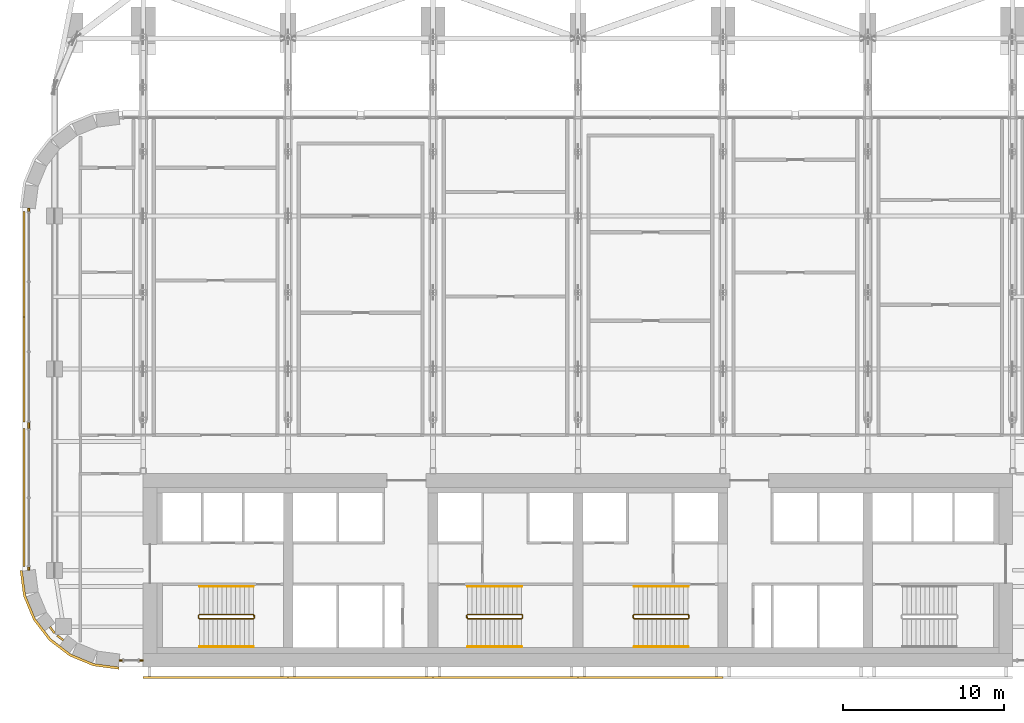
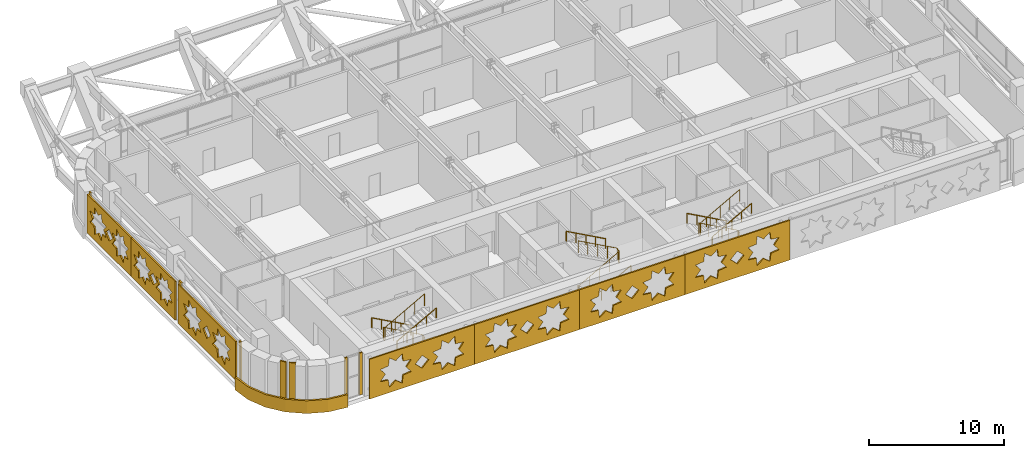
# One storey, part 19 of 23: 15 coverings, 9 railings.
"""IFC4 building model written with IfcOpenShell, lengths in metres."""

from ifc_helpers import new_model, si_unit, direction, frame, origin, origin_2d, place, context, subcontext, project, spatial, polyline, rectangle, circle, outline, extrude, material, layer, layer_set, type_object, element, save


model = new_model("IFC4")

# Units and contexts
model_context = context("Model", 3, precision=1e-05, world=origin(), true_north=direction((0.0, 1.0)))
body_context = subcontext(model_context, "Body", "Model", "MODEL_VIEW")
ifc_project = project(units=[si_unit("LENGTHUNIT", "METRE"), si_unit("AREAUNIT", "SQUARE_METRE"), si_unit("VOLUMEUNIT", "CUBIC_METRE"), si_unit("PLANEANGLEUNIT", "RADIAN"), si_unit("MASSUNIT", "GRAM", prefix="KILO")], contexts=[model_context])

# Site, building, storey
site_placement = place(None, origin())
site = spatial("IfcSite", under=ifc_project, at=site_placement, CompositionType="ELEMENT")
building_placement = place(site_placement, origin())
building = spatial("IfcBuilding", under=site, at=building_placement, Name="Zellij Exchange Tower", CompositionType="ELEMENT")
storey_placement = place(building_placement, frame((0.0, 0.0, 160.5)))
storey = spatial("IfcBuildingStorey", under=building, at=storey_placement, Name="L36", CompositionType="ELEMENT", Elevation=160.5)

# Railings
ifc_material_1 = material(Name="Stainless steel", Category="steel")
railing_type_1 = type_object("IfcRailingType", Name="CORE-RG stair guard", PredefinedType="GUARDRAIL", material=ifc_material_1)
railing_1_placement = place(storey_placement, frame((-20.10009765625, -10.800048828125, 0.0)))
element("IfcRailing", 1, at=railing_1_placement, inside=storey, type_object=railing_type_1, Name="ST1 stair guard L36", PredefinedType="GUARDRAIL", context=body_context, shape_type="SweptSolid", body=[
    extrude(circle(Radius=0.02392578125, at=origin_2d()), frame((0.0, 0.0, 1.076171875), z_axis=(0.0, -1.0, 0.0), x_axis=(1.0, 0.0, 0.0)), (0.0, 0.0, 1.0), 0.14990234375),
    extrude(circle(Radius=0.02392578125, at=origin_2d()), frame((0.0, -0.14990234375, 1.076171875), z_axis=(-0.193691321961, 0.777613689637, 0.598164376644), x_axis=(-0.970351222016, -0.241699205484, 0.0)), (0.0, 0.0, 1.0), 0.257080078125),
    extrude(circle(Radius=0.02392578125, at=origin_2d()), frame((-0.0498046875, 0.050048828125, 1.22998046875), z_axis=(-0.876421534553, 0.0, 0.481544695509), x_axis=(0.0, -1.0, 0.0)), (0.0, 0.0, 1.0), 3.833984375),
    extrude(circle(Radius=0.02392578125, at=origin_2d()), frame((-3.409912109375, 0.050048828125, 3.076171875), z_axis=(-0.707106781187, -0.707106781187, 0.0), x_axis=(0.707106781187, -0.707106781187, 0.0)), (0.0, 0.0, 1.0), 0.07080078125),
    extrude(circle(Radius=0.02392578125, at=origin_2d()), frame((-3.4599609375, 0.0, 3.076171875), z_axis=(0.0, -1.0, 0.0), x_axis=(1.0, 0.0, 0.0)), (0.0, 0.0, 1.0), 0.14990234375),
    extrude(circle(Radius=0.02392578125, at=origin_2d()), frame((-3.4599609375, -0.14990234375, 3.076171875), z_axis=(0.295599637079, -0.295599637079, 0.908428152975), x_axis=(0.707106781187, 0.707106781187, 0.0)), (0.0, 0.0, 1.0), 0.16943359375),
    extrude(circle(Radius=0.02392578125, at=origin_2d()), frame((-3.409912109375, -0.199951171875, 3.22998046875), z_axis=(0.876421534553, 0.0, 0.481544695509), x_axis=(0.0, 1.0, 0.0)), (0.0, 0.0, 1.0), 3.833984375),
    extrude(circle(Radius=0.02099609375, at=origin_2d()), origin(), (0.0, 0.0, 1.0), 1.052001953125),
    extrude(circle(Radius=0.02099609375, at=origin_2d()), frame((0.0, -0.14990234375, 0.0)), (0.0, 0.0, 1.0), 1.052001953125),
    extrude(circle(Radius=0.02099609375, at=origin_2d()), frame((-0.0498046875, 0.050048828125, 0.15380859375)), (0.0, 0.0, 1.0), 1.052001953125),
    extrude(circle(Radius=0.02099609375, at=origin_2d()), frame((-0.889892578125, 0.050048828125, 0.615234375)), (0.0, 0.0, 1.0), 1.052001953125),
    extrude(circle(Radius=0.02099609375, at=origin_2d()), frame((-1.72998046875, 0.050048828125, 1.076904296875)), (0.0, 0.0, 1.0), 1.052001953125),
    extrude(circle(Radius=0.02099609375, at=origin_2d()), frame((-2.56982421875, 0.050048828125, 1.53857421875)), (0.0, 0.0, 1.0), 1.052001953125),
    extrude(circle(Radius=0.02099609375, at=origin_2d()), frame((-3.409912109375, 0.050048828125, 2.0)), (0.0, 0.0, 1.0), 1.052001953125),
    extrude(circle(Radius=0.02099609375, at=origin_2d()), frame((-3.4599609375, 0.0, 2.0)), (0.0, 0.0, 1.0), 1.052001953125),
    extrude(circle(Radius=0.02099609375, at=origin_2d()), frame((-3.4599609375, -0.14990234375, 2.0)), (0.0, 0.0, 1.0), 1.052001953125),
    extrude(circle(Radius=0.02099609375, at=origin_2d()), frame((-3.409912109375, -0.199951171875, 2.15380859375)), (0.0, 0.0, 1.0), 1.052001953125),
    extrude(circle(Radius=0.02099609375, at=origin_2d()), frame((-2.56982421875, -0.199951171875, 2.615234375)), (0.0, 0.0, 1.0), 1.052001953125),
    extrude(circle(Radius=0.02099609375, at=origin_2d()), frame((-1.72998046875, -0.199951171875, 3.076904296875)), (0.0, 0.0, 1.0), 1.052001953125),
    extrude(circle(Radius=0.02099609375, at=origin_2d()), frame((-0.889892578125, -0.199951171875, 3.53857421875)), (0.0, 0.0, 1.0), 1.052001953125),
    extrude(circle(Radius=0.02099609375, at=origin_2d()), frame((-0.0498046875, -0.199951171875, 4.0)), (0.0, 0.0, 1.0), 1.052001953125),
])
railing_2_placement = place(storey_placement, frame((-6.89990234375, -10.949951171875, 0.0)))
element("IfcRailing", 2, at=railing_2_placement, inside=storey, type_object=railing_type_1, Name="ST2 stair guard L36", PredefinedType="GUARDRAIL", context=body_context, shape_type="SweptSolid", body=[
    extrude(circle(Radius=0.02392578125, at=origin_2d()), frame((0.0, 0.0, 1.076171875), z_axis=(0.0, 1.0, 0.0), x_axis=(-1.0, 0.0, 0.0)), (0.0, 0.0, 1.0), 0.14990234375),
    extrude(circle(Radius=0.02392578125, at=origin_2d()), frame((0.0, 0.14990234375, 1.076171875), z_axis=(0.193691321961, -0.777613689637, 0.598164376644), x_axis=(0.970351222016, 0.241699205484, 0.0)), (0.0, 0.0, 1.0), 0.257080078125),
    extrude(circle(Radius=0.02392578125, at=origin_2d()), frame((0.0498046875, -0.050048828125, 1.22998046875), z_axis=(0.876421534553, 0.0, 0.481544695509), x_axis=(0.0, 1.0, 0.0)), (0.0, 0.0, 1.0), 3.833984375),
    extrude(circle(Radius=0.02392578125, at=origin_2d()), frame((3.409912109375, -0.050048828125, 3.076171875), z_axis=(0.707106781187, 0.707106781187, 0.0), x_axis=(-0.707106781187, 0.707106781187, 0.0)), (0.0, 0.0, 1.0), 0.07080078125),
    extrude(circle(Radius=0.02392578125, at=origin_2d()), frame((3.4599609375, 0.0, 3.076171875), z_axis=(0.0, 1.0, 0.0), x_axis=(-1.0, 0.0, 0.0)), (0.0, 0.0, 1.0), 0.14990234375),
    extrude(circle(Radius=0.02392578125, at=origin_2d()), frame((3.4599609375, 0.14990234375, 3.076171875), z_axis=(-0.295599637079, 0.295599637079, 0.908428152975), x_axis=(-0.707106781187, -0.707106781187, 0.0)), (0.0, 0.0, 1.0), 0.16943359375),
    extrude(circle(Radius=0.02392578125, at=origin_2d()), frame((3.409912109375, 0.199951171875, 3.22998046875), z_axis=(-0.876421534553, 0.0, 0.481544695509), x_axis=(0.0, -1.0, 0.0)), (0.0, 0.0, 1.0), 3.833984375),
    extrude(circle(Radius=0.02099609375, at=origin_2d()), origin(), (0.0, 0.0, 1.0), 1.052001953125),
    extrude(circle(Radius=0.02099609375, at=origin_2d()), frame((0.0, 0.14990234375, 0.0)), (0.0, 0.0, 1.0), 1.052001953125),
    extrude(circle(Radius=0.02099609375, at=origin_2d()), frame((0.0498046875, -0.050048828125, 0.15380859375)), (0.0, 0.0, 1.0), 1.052001953125),
    extrude(circle(Radius=0.02099609375, at=origin_2d()), frame((0.889892578125, -0.050048828125, 0.615234375)), (0.0, 0.0, 1.0), 1.052001953125),
    extrude(circle(Radius=0.02099609375, at=origin_2d()), frame((1.72998046875, -0.050048828125, 1.076904296875)), (0.0, 0.0, 1.0), 1.052001953125),
    extrude(circle(Radius=0.02099609375, at=origin_2d()), frame((2.56982421875, -0.050048828125, 1.53857421875)), (0.0, 0.0, 1.0), 1.052001953125),
    extrude(circle(Radius=0.02099609375, at=origin_2d()), frame((3.409912109375, -0.050048828125, 2.0)), (0.0, 0.0, 1.0), 1.052001953125),
    extrude(circle(Radius=0.02099609375, at=origin_2d()), frame((3.4599609375, 0.0, 2.0)), (0.0, 0.0, 1.0), 1.052001953125),
    extrude(circle(Radius=0.02099609375, at=origin_2d()), frame((3.4599609375, 0.14990234375, 2.0)), (0.0, 0.0, 1.0), 1.052001953125),
    extrude(circle(Radius=0.02099609375, at=origin_2d()), frame((3.409912109375, 0.199951171875, 2.15380859375)), (0.0, 0.0, 1.0), 1.052001953125),
    extrude(circle(Radius=0.02099609375, at=origin_2d()), frame((2.56982421875, 0.199951171875, 2.615234375)), (0.0, 0.0, 1.0), 1.052001953125),
    extrude(circle(Radius=0.02099609375, at=origin_2d()), frame((1.72998046875, 0.199951171875, 3.076904296875)), (0.0, 0.0, 1.0), 1.052001953125),
    extrude(circle(Radius=0.02099609375, at=origin_2d()), frame((0.889892578125, 0.199951171875, 3.53857421875)), (0.0, 0.0, 1.0), 1.052001953125),
    extrude(circle(Radius=0.02099609375, at=origin_2d()), frame((0.0498046875, 0.199951171875, 4.0)), (0.0, 0.0, 1.0), 1.052001953125),
])
railing_3_placement = place(storey_placement, frame((6.89990234375, -10.800048828125, 0.0)))
element("IfcRailing", 3, at=railing_3_placement, inside=storey, type_object=railing_type_1, Name="ST3 stair guard L36", PredefinedType="GUARDRAIL", context=body_context, shape_type="SweptSolid", body=[
    extrude(circle(Radius=0.02392578125, at=origin_2d()), frame((0.0, 0.0, 1.076171875), z_axis=(0.0, -1.0, 0.0), x_axis=(1.0, 0.0, 0.0)), (0.0, 0.0, 1.0), 0.14990234375),
    extrude(circle(Radius=0.02392578125, at=origin_2d()), frame((0.0, -0.14990234375, 1.076171875), z_axis=(-0.193691321961, 0.777613689637, 0.598164376644), x_axis=(-0.970351222016, -0.241699205484, 0.0)), (0.0, 0.0, 1.0), 0.257080078125),
    extrude(circle(Radius=0.02392578125, at=origin_2d()), frame((-0.0498046875, 0.050048828125, 1.22998046875), z_axis=(-0.876421534553, 0.0, 0.481544695509), x_axis=(0.0, -1.0, 0.0)), (0.0, 0.0, 1.0), 3.833984375),
    extrude(circle(Radius=0.02392578125, at=origin_2d()), frame((-3.409912109375, 0.050048828125, 3.076171875), z_axis=(-0.707106781187, -0.707106781187, 0.0), x_axis=(0.707106781187, -0.707106781187, 0.0)), (0.0, 0.0, 1.0), 0.07080078125),
    extrude(circle(Radius=0.02392578125, at=origin_2d()), frame((-3.4599609375, 0.0, 3.076171875), z_axis=(0.0, -1.0, 0.0), x_axis=(1.0, 0.0, 0.0)), (0.0, 0.0, 1.0), 0.14990234375),
    extrude(circle(Radius=0.02392578125, at=origin_2d()), frame((-3.4599609375, -0.14990234375, 3.076171875), z_axis=(0.295599637079, -0.295599637079, 0.908428152975), x_axis=(0.707106781187, 0.707106781187, 0.0)), (0.0, 0.0, 1.0), 0.16943359375),
    extrude(circle(Radius=0.02392578125, at=origin_2d()), frame((-3.409912109375, -0.199951171875, 3.22998046875), z_axis=(0.876421534553, 0.0, 0.481544695509), x_axis=(0.0, 1.0, 0.0)), (0.0, 0.0, 1.0), 3.833984375),
    extrude(circle(Radius=0.02099609375, at=origin_2d()), origin(), (0.0, 0.0, 1.0), 1.052001953125),
    extrude(circle(Radius=0.02099609375, at=origin_2d()), frame((0.0, -0.14990234375, 0.0)), (0.0, 0.0, 1.0), 1.052001953125),
    extrude(circle(Radius=0.02099609375, at=origin_2d()), frame((-0.0498046875, 0.050048828125, 0.15380859375)), (0.0, 0.0, 1.0), 1.052001953125),
    extrude(circle(Radius=0.02099609375, at=origin_2d()), frame((-0.889892578125, 0.050048828125, 0.615234375)), (0.0, 0.0, 1.0), 1.052001953125),
    extrude(circle(Radius=0.02099609375, at=origin_2d()), frame((-1.72998046875, 0.050048828125, 1.076904296875)), (0.0, 0.0, 1.0), 1.052001953125),
    extrude(circle(Radius=0.02099609375, at=origin_2d()), frame((-2.56982421875, 0.050048828125, 1.53857421875)), (0.0, 0.0, 1.0), 1.052001953125),
    extrude(circle(Radius=0.02099609375, at=origin_2d()), frame((-3.409912109375, 0.050048828125, 2.0)), (0.0, 0.0, 1.0), 1.052001953125),
    extrude(circle(Radius=0.02099609375, at=origin_2d()), frame((-3.4599609375, 0.0, 2.0)), (0.0, 0.0, 1.0), 1.052001953125),
    extrude(circle(Radius=0.02099609375, at=origin_2d()), frame((-3.4599609375, -0.14990234375, 2.0)), (0.0, 0.0, 1.0), 1.052001953125),
    extrude(circle(Radius=0.02099609375, at=origin_2d()), frame((-3.409912109375, -0.199951171875, 2.15380859375)), (0.0, 0.0, 1.0), 1.052001953125),
    extrude(circle(Radius=0.02099609375, at=origin_2d()), frame((-2.56982421875, -0.199951171875, 2.615234375)), (0.0, 0.0, 1.0), 1.052001953125),
    extrude(circle(Radius=0.02099609375, at=origin_2d()), frame((-1.72998046875, -0.199951171875, 3.076904296875)), (0.0, 0.0, 1.0), 1.052001953125),
    extrude(circle(Radius=0.02099609375, at=origin_2d()), frame((-0.889892578125, -0.199951171875, 3.53857421875)), (0.0, 0.0, 1.0), 1.052001953125),
    extrude(circle(Radius=0.02099609375, at=origin_2d()), frame((-0.0498046875, -0.199951171875, 4.0)), (0.0, 0.0, 1.0), 1.052001953125),
])
railing_type_2 = type_object("IfcRailingType", Name="CORE-RH stair handrail", PredefinedType="HANDRAIL", material=ifc_material_1)
railing_4_placement = place(storey_placement, frame((-20.14990234375, -9.0, 0.15380859375)))
element("IfcRailing", 4, at=railing_4_placement, inside=storey, type_object=railing_type_2, Name="ST1 stair handrail L36", PredefinedType="HANDRAIL", context=body_context, shape_type="SweptSolid", body=[
    extrude(circle(Radius=0.02392578125, at=origin_2d()), frame((0.0, 0.0, 0.8759765625), z_axis=(-0.876421534553, 0.0, 0.481544695509), x_axis=(0.0, -1.0, 0.0)), (0.0, 0.0, 1.0), 3.833984375),
    extrude(circle(Radius=0.02099609375, at=origin_2d()), origin(), (0.0, 0.0, 1.0), 0.851806640625),
    extrude(circle(Radius=0.02099609375, at=origin_2d()), frame((-0.840087890625, 0.0, 0.46142578125)), (0.0, 0.0, 1.0), 0.851806640625),
    extrude(circle(Radius=0.02099609375, at=origin_2d()), frame((-1.68017578125, 0.0, 0.923095703125)), (0.0, 0.0, 1.0), 0.851806640625),
    extrude(circle(Radius=0.02099609375, at=origin_2d()), frame((-2.52001953125, 0.0, 1.384765625)), (0.0, 0.0, 1.0), 0.851806640625),
    extrude(circle(Radius=0.02099609375, at=origin_2d()), frame((-3.360107421875, 0.0, 1.84619140625)), (0.0, 0.0, 1.0), 0.851806640625),
])
for number, where, name in (
    (5, (-23.510009765625, -12.75, 2.15380859375), "ST1 stair handrail L36"),
    (6, (-6.85009765625, -12.75, 0.15380859375), "ST2 stair handrail L36"),
):
    element("IfcRailing", number, at=place(storey_placement, frame(where)), inside=storey, type_object=railing_type_2, Name=name, PredefinedType="HANDRAIL", context=body_context, shape_type="SweptSolid", body=[
        extrude(circle(Radius=0.02392578125, at=origin_2d()), frame((0.0, 0.0, 0.8759765625), z_axis=(0.876421534553, 0.0, 0.481544695509), x_axis=(0.0, 1.0, 0.0)), (0.0, 0.0, 1.0), 3.833984375),
        extrude(circle(Radius=0.02099609375, at=origin_2d()), origin(), (0.0, 0.0, 1.0), 0.851806640625),
        extrude(circle(Radius=0.02099609375, at=origin_2d()), frame((0.840087890625, 0.0, 0.46142578125)), (0.0, 0.0, 1.0), 0.851806640625),
        extrude(circle(Radius=0.02099609375, at=origin_2d()), frame((1.68017578125, 0.0, 0.923095703125)), (0.0, 0.0, 1.0), 0.851806640625),
        extrude(circle(Radius=0.02099609375, at=origin_2d()), frame((2.52001953125, 0.0, 1.384765625)), (0.0, 0.0, 1.0), 0.851806640625),
        extrude(circle(Radius=0.02099609375, at=origin_2d()), frame((3.360107421875, 0.0, 1.84619140625)), (0.0, 0.0, 1.0), 0.851806640625),
    ])
for number, where, name in (
    (7, (-3.489990234375, -9.0, 2.15380859375), "ST2 stair handrail L36"),
    (8, (6.85009765625, -9.0, 0.15380859375), "ST3 stair handrail L36"),
):
    element("IfcRailing", number, at=place(storey_placement, frame(where)), inside=storey, type_object=railing_type_2, Name=name, PredefinedType="HANDRAIL", context=body_context, shape_type="SweptSolid", body=[
        extrude(circle(Radius=0.02392578125, at=origin_2d()), frame((0.0, 0.0, 0.8759765625), z_axis=(-0.876421534553, 0.0, 0.481544695509), x_axis=(0.0, -1.0, 0.0)), (0.0, 0.0, 1.0), 3.833984375),
        extrude(circle(Radius=0.02099609375, at=origin_2d()), origin(), (0.0, 0.0, 1.0), 0.851806640625),
        extrude(circle(Radius=0.02099609375, at=origin_2d()), frame((-0.840087890625, 0.0, 0.46142578125)), (0.0, 0.0, 1.0), 0.851806640625),
        extrude(circle(Radius=0.02099609375, at=origin_2d()), frame((-1.68017578125, 0.0, 0.923095703125)), (0.0, 0.0, 1.0), 0.851806640625),
        extrude(circle(Radius=0.02099609375, at=origin_2d()), frame((-2.52001953125, 0.0, 1.384765625)), (0.0, 0.0, 1.0), 0.851806640625),
        extrude(circle(Radius=0.02099609375, at=origin_2d()), frame((-3.360107421875, 0.0, 1.84619140625)), (0.0, 0.0, 1.0), 0.851806640625),
    ])
railing_5_placement = place(storey_placement, frame((3.489990234375, -12.75, 2.15380859375)))
element("IfcRailing", 9, at=railing_5_placement, inside=storey, type_object=railing_type_2, Name="ST3 stair handrail L36", PredefinedType="HANDRAIL", context=body_context, shape_type="SweptSolid", body=[
    extrude(circle(Radius=0.02392578125, at=origin_2d()), frame((0.0, 0.0, 0.8759765625), z_axis=(0.876421534553, 0.0, 0.481544695509), x_axis=(0.0, 1.0, 0.0)), (0.0, 0.0, 1.0), 3.833984375),
    extrude(circle(Radius=0.02099609375, at=origin_2d()), origin(), (0.0, 0.0, 1.0), 0.851806640625),
    extrude(circle(Radius=0.02099609375, at=origin_2d()), frame((0.840087890625, 0.0, 0.46142578125)), (0.0, 0.0, 1.0), 0.851806640625),
    extrude(circle(Radius=0.02099609375, at=origin_2d()), frame((1.68017578125, 0.0, 0.923095703125)), (0.0, 0.0, 1.0), 0.851806640625),
    extrude(circle(Radius=0.02099609375, at=origin_2d()), frame((2.52001953125, 0.0, 1.384765625)), (0.0, 0.0, 1.0), 0.851806640625),
    extrude(circle(Radius=0.02099609375, at=origin_2d()), frame((3.360107421875, 0.0, 1.84619140625)), (0.0, 0.0, 1.0), 0.851806640625),
])

# Coverings
ifc_material_2 = material(Name="Limestone cladding", Category="masonry")
ifc_layer_1 = layer(ifc_material_2, 0.14990234375)
ifc_layer_set_1 = layer_set([ifc_layer_1], Name="Limestone cladding")
covering_type_1 = type_object("IfcCoveringType", Name="ENV-CV1 Stone spandrel band 150", PredefinedType="CLADDING", material=ifc_layer_set_1)
covering_1_placement = place(storey_placement, frame((0.0, 0.0, -0.35009765625)))
element("IfcCovering", 10, at=covering_1_placement, inside=storey, type_object=covering_type_1, Name="Stone spandrel band", PredefinedType="CLADDING", context=body_context, shape_type="SweptSolid", body=[
    extrude(outline(polyline([(-34.5, -8.0), (-34.295654296875, -9.552978515625), (-33.6962890625, -11.0), (-32.74267578125, -12.24267578125), (-31.5, -13.1962890625), (-30.052978515625, -13.795654296875), (-28.5, -14.0), (-28.509765625, -14.14990234375), (-30.092041015625, -13.941650390625), (-31.57568359375, -13.3271484375), (-32.849609375, -12.349609375), (-33.8271484375, -11.07568359375), (-34.441650390625, -9.592041015625), (-34.64990234375, -8.009765625), (-34.5, -8.0)])), origin(), (0.0, 0.0, 1.0), 1.150146484375),
])
ifc_layer_2 = layer(ifc_material_2, 0.1201171875)
ifc_layer_set_2 = layer_set([ifc_layer_2], Name="Limestone cladding")
covering_type_2 = type_object("IfcCoveringType", Name="ENV-CV18 Glazing closer 120", PredefinedType="CLADDING", material=ifc_layer_set_2)
for number, where, z_axis, x_axis, name in (
    (11, (-32.647705078125, -11.709228515625, 0.0), (0.0, 0.0, 1.0), (0.608809891071, -0.793316151692, 0.0), "Glazing closer"),
    (12, (-32.14404296875, -12.19775390625, 0.0), (0.0, 0.0, 1.0), (-0.793316151692, 0.608809891071, 0.0), "Glazing closer"),
):
    element("IfcCovering", number, at=place(storey_placement, frame(where, z_axis=z_axis, x_axis=x_axis)), inside=storey, type_object=covering_type_2, Name=name, PredefinedType="CLADDING", context=body_context, shape_type="SweptSolid", body=[
        extrude(rectangle(XDim=0.492919921875, YDim=0.1201171875, at=origin_2d()), origin(), (0.0, 0.0, 1.0), 3.800048828125),
    ])
covering_2_placement = place(storey_placement, frame((-34.10009765625, 1.00537109375, 0.0), z_axis=(0.0, 0.0, 1.0), x_axis=(0.0, -1.0, 0.0)))
element("IfcCovering", 13, at=covering_2_placement, inside=storey, type_object=covering_type_2, Name="Glazing closer", PredefinedType="CLADDING", context=body_context, shape_type="SweptSolid", body=[
    extrude(rectangle(XDim=0.39990234375, YDim=0.1201171875, at=origin_2d()), origin(), (0.0, 0.0, 1.0), 3.800048828125),
])
covering_3_placement = place(storey_placement, frame((-27.125, -13.60009765625, 0.0), z_axis=(0.0, 0.0, 1.0), x_axis=(1.0, 0.0, 0.0)))
element("IfcCovering", 14, at=covering_3_placement, inside=storey, type_object=covering_type_2, Name="Glazing closer", PredefinedType="CLADDING", context=body_context, shape_type="SweptSolid", body=[
    extrude(rectangle(XDim=0.25, YDim=0.1201171875, at=origin_2d()), origin(), (0.0, 0.0, 1.0), 3.800048828125),
])
for number, where, z_axis, x_axis, name in (
    (15, (-28.383056640625, -13.60009765625, 0.0), (0.0, 0.0, 1.0), (-1.0, 0.0, 0.0), "Glazing closer"),
    (16, (-34.10009765625, 14.383056640625, 0.0), (0.0, 0.0, 1.0), (0.0, 1.0, 0.0), "Glazing closer"),
    (17, (-34.10009765625, -7.883056640625, 0.0), (0.0, 0.0, 1.0), (0.0, -1.0, 0.0), "Glazing closer"),
):
    element("IfcCovering", number, at=place(storey_placement, frame(where, z_axis=z_axis, x_axis=x_axis)), inside=storey, type_object=covering_type_2, Name=name, PredefinedType="CLADDING", context=body_context, shape_type="SweptSolid", body=[
        extrude(rectangle(XDim=0.218505859375, YDim=0.1201171875, at=origin_2d()), origin(), (0.0, 0.0, 1.0), 3.800048828125),
    ])
ifc_material_3 = material(Name="Limestone screen", Category="masonry")
ifc_layer_3 = layer(ifc_material_3, 0.1201171875)
ifc_layer_set_3 = layer_set([ifc_layer_3], Name="Limestone screen")
covering_type_3 = type_object("IfcCoveringType", Name="ENV-SC1 Pierced stone screen 120", PredefinedType="USERDEFINED", material=ifc_layer_set_3)
for number, where, z_axis, x_axis, name in (
    (18, (-34.39990234375, 14.273681640625, 0.300048828125), (0.0, 0.0, 1.0), (0.0, -1.0, 0.0), "Pierced stone screen"),
    (19, (-34.39990234375, 7.739501953125, 0.300048828125), (0.0, 0.0, 1.0), (0.0, -1.0, 0.0), "Pierced stone screen"),
):
    element("IfcCovering", number, at=place(storey_placement, frame(where, z_axis=z_axis, x_axis=x_axis)), inside=storey, type_object=covering_type_3, Name=name, ObjectType="SCREEN", PredefinedType="USERDEFINED", context=body_context, shape_type="SweptSolid", body=[
        extrude(outline(polyline([(0.0, 0.0), (6.5341796875, 0.0), (6.5341796875, 3.5), (0.0, 3.5), (0.0, 0.0)]), holes=[polyline([(2.8408203125, 2.25), (2.20654296875, 2.322998046875), (2.1337890625, 2.95751953125), (1.633544921875, 2.560302734375), (1.133544921875, 2.95751953125), (1.060546875, 2.322998046875), (0.42626953125, 2.25), (0.8232421875, 1.75), (0.42626953125, 1.25), (1.060546875, 1.177001953125), (1.133544921875, 0.54248046875), (1.633544921875, 0.939697265625), (2.1337890625, 0.54248046875), (2.20654296875, 1.177001953125), (2.8408203125, 1.25), (2.44384765625, 1.75), (2.8408203125, 2.25)]), polyline([(6.108154296875, 2.25), (5.4736328125, 2.322998046875), (5.40087890625, 2.95751953125), (4.900634765625, 2.560302734375), (4.400634765625, 2.95751953125), (4.327880859375, 2.322998046875), (3.693359375, 2.25), (4.09033203125, 1.75), (3.693359375, 1.25), (4.327880859375, 1.177001953125), (4.400634765625, 0.54248046875), (4.900634765625, 0.939697265625), (5.40087890625, 0.54248046875), (5.4736328125, 1.177001953125), (6.108154296875, 1.25), (5.7109375, 1.75), (6.108154296875, 2.25)]), polyline([(3.789794921875, 1.75), (3.26708984375, 2.272705078125), (2.744384765625, 1.75), (3.26708984375, 1.227294921875), (3.789794921875, 1.75)])]), frame((0.0, 0.06005859375, 0.0), z_axis=(0.0, -1.0, 0.0), x_axis=(1.0, 0.0, 0.0)), (0.0, 0.0, 1.0), 0.1201171875),
    ])
covering_4_placement = place(storey_placement, frame((-34.39990234375, 0.805419921875, 0.300048828125), z_axis=(0.0, 0.0, 1.0), x_axis=(0.0, -1.0, 0.0)))
element("IfcCovering", 20, at=covering_4_placement, inside=storey, type_object=covering_type_3, Name="Pierced stone screen", ObjectType="SCREEN", PredefinedType="USERDEFINED", context=body_context, shape_type="SweptSolid", body=[
    extrude(outline(polyline([(0.0, 0.0), (8.5791015625, 0.0), (8.5791015625, 3.5), (0.0, 3.5), (0.0, 0.0)]), holes=[polyline([(3.438232421875, 2.285888671875), (2.758544921875, 2.36376953125), (2.680419921875, 3.04345703125), (2.144775390625, 2.617919921875), (1.60888671875, 3.04345703125), (1.531005859375, 2.36376953125), (0.851318359375, 2.285888671875), (1.27685546875, 1.75), (0.851318359375, 1.214111328125), (1.531005859375, 1.13623046875), (1.60888671875, 0.45654296875), (2.144775390625, 0.882080078125), (2.680419921875, 0.45654296875), (2.758544921875, 1.13623046875), (3.438232421875, 1.214111328125), (3.0126953125, 1.75), (3.438232421875, 2.285888671875)]), polyline([(7.727783203125, 2.285888671875), (7.048095703125, 2.36376953125), (6.97021484375, 3.04345703125), (6.434326171875, 2.617919921875), (5.898681640625, 3.04345703125), (5.820556640625, 2.36376953125), (5.140869140625, 2.285888671875), (5.56640625, 1.75), (5.140869140625, 1.214111328125), (5.820556640625, 1.13623046875), (5.898681640625, 0.45654296875), (6.434326171875, 0.882080078125), (6.97021484375, 0.45654296875), (7.048095703125, 1.13623046875), (7.727783203125, 1.214111328125), (7.30224609375, 1.75), (7.727783203125, 2.285888671875)]), polyline([(4.849609375, 1.75), (4.28955078125, 2.31005859375), (3.7294921875, 1.75), (4.28955078125, 1.18994140625), (4.849609375, 1.75)])]), frame((0.0, 0.06005859375, 0.0), z_axis=(0.0, -1.0, 0.0), x_axis=(1.0, 0.0, 0.0)), (0.0, 0.0, 1.0), 0.1201171875),
])
ifc_layer_4 = layer(ifc_material_3, 0.1201171875)
ifc_layer_set_4 = layer_set([ifc_layer_4], Name="Limestone screen")
covering_type_4 = type_object("IfcCoveringType", Name="ENV-SC5 Pierced stone relief 120", PredefinedType="USERDEFINED", material=ifc_layer_set_4)
for number, where, z_axis, x_axis, name in (
    (21, (-27.0, -14.659912109375, 0.199951171875), (0.0, 0.0, 1.0), (1.0, 0.0, 0.0), "Pierced stone relief"),
    (22, (-18.0, -14.659912109375, 0.199951171875), (0.0, 0.0, 1.0), (1.0, 0.0, 0.0), "Pierced stone relief"),
    (23, (-9.0, -14.659912109375, 0.199951171875), (0.0, 0.0, 1.0), (1.0, 0.0, 0.0), "Pierced stone relief"),
    (24, (0.0, -14.659912109375, 0.199951171875), (0.0, 0.0, 1.0), (1.0, 0.0, 0.0), "Pierced stone relief"),
):
    element("IfcCovering", number, at=place(storey_placement, frame(where, z_axis=z_axis, x_axis=x_axis)), inside=storey, type_object=covering_type_4, Name=name, ObjectType="SCREEN", PredefinedType="USERDEFINED", context=body_context, shape_type="SweptSolid", body=[
        extrude(outline(polyline([(0.0, 0.0), (9.0, 0.0), (9.0, 3.60009765625), (0.0, 3.60009765625), (0.0, 0.0)]), holes=[polyline([(3.580322265625, 2.35107421875), (2.88134765625, 2.431396484375), (2.801025390625, 3.13037109375), (2.25, 2.69287109375), (1.698974609375, 3.13037109375), (1.61865234375, 2.431396484375), (0.919677734375, 2.35107421875), (1.357177734375, 1.800048828125), (0.919677734375, 1.248779296875), (1.61865234375, 1.168701171875), (1.698974609375, 0.469482421875), (2.25, 0.9072265625), (2.801025390625, 0.469482421875), (2.88134765625, 1.168701171875), (3.580322265625, 1.248779296875), (3.142822265625, 1.800048828125), (3.580322265625, 2.35107421875)]), polyline([(8.080322265625, 2.35107421875), (7.38134765625, 2.431396484375), (7.301025390625, 3.13037109375), (6.75, 2.69287109375), (6.198974609375, 3.13037109375), (6.11865234375, 2.431396484375), (5.419677734375, 2.35107421875), (5.857177734375, 1.800048828125), (5.419677734375, 1.248779296875), (6.11865234375, 1.168701171875), (6.198974609375, 0.469482421875), (6.75, 0.9072265625), (7.301025390625, 0.469482421875), (7.38134765625, 1.168701171875), (8.080322265625, 1.248779296875), (7.642822265625, 1.800048828125), (8.080322265625, 2.35107421875)]), polyline([(5.075927734375, 1.800048828125), (4.5, 2.3759765625), (3.924072265625, 1.800048828125), (4.5, 1.22412109375), (5.075927734375, 1.800048828125)])]), frame((0.0, 0.06005859375, 0.0), z_axis=(0.0, -1.0, 0.0), x_axis=(1.0, 0.0, 0.0)), (0.0, 0.0, 1.0), 0.1201171875),
    ])

save(model, "model.ifc")
